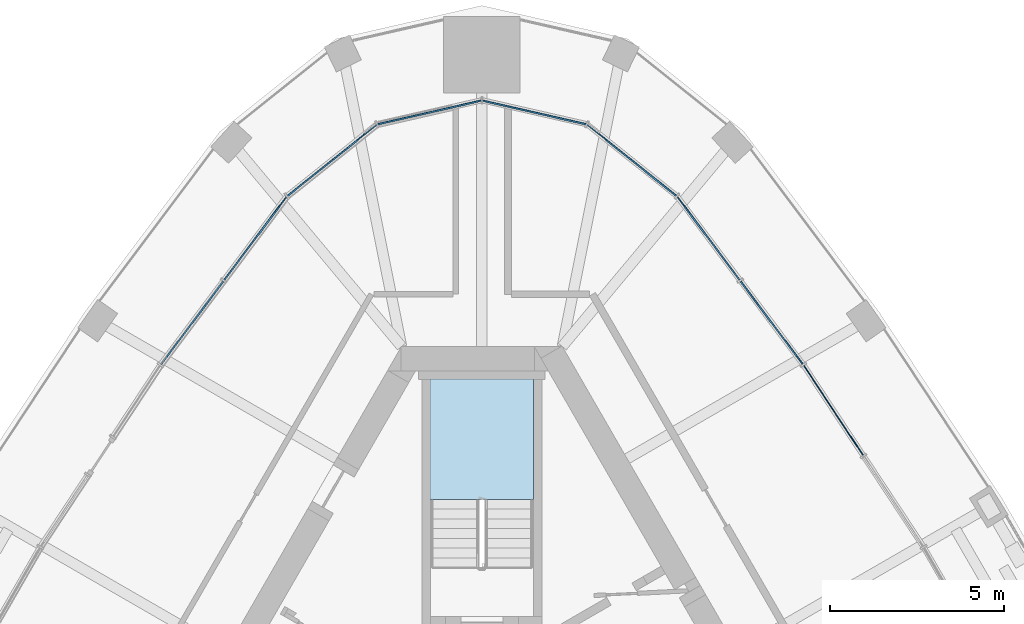
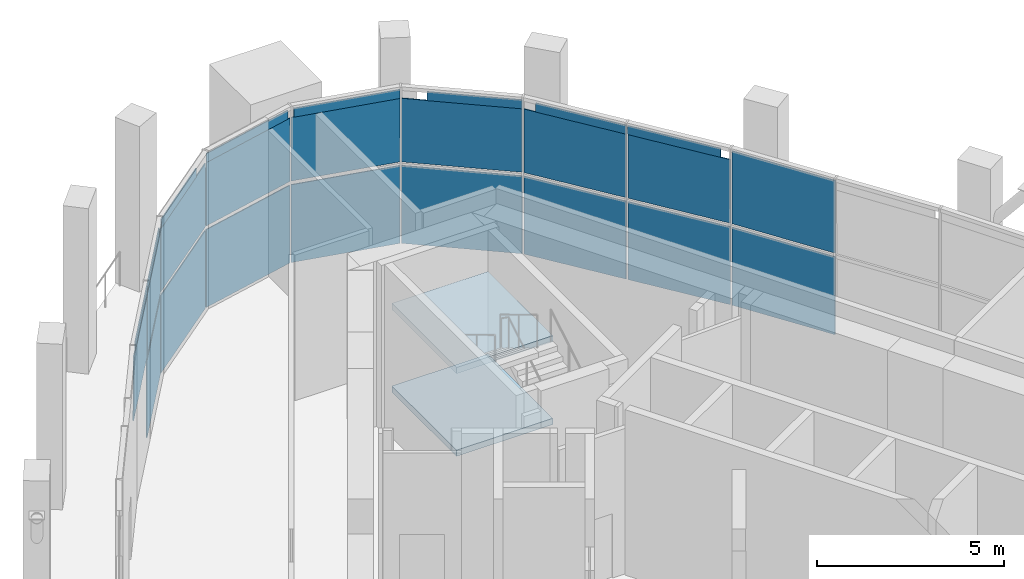
# One storey, part 9 of 23: 25 plates, 2 slabs, 4 elements without a shape of their own.
"""IFC4 building model written with IfcOpenShell, lengths in metres."""

from ifc_helpers import new_model, si_unit, direction, frame, origin, origin_2d, place, context, subcontext, project, spatial, polyline, rectangle, outline, extrude, material, layer, layer_set, type_object, element, aggregate, save


model = new_model("IFC4")

# Units and contexts
model_context = context("Model", 3, precision=1e-05, world=origin(), true_north=direction((0.0, 1.0)))
body_context = subcontext(model_context, "Body", "Model", "MODEL_VIEW")
ifc_project = project(units=[si_unit("LENGTHUNIT", "METRE"), si_unit("AREAUNIT", "SQUARE_METRE"), si_unit("VOLUMEUNIT", "CUBIC_METRE"), si_unit("PLANEANGLEUNIT", "RADIAN"), si_unit("MASSUNIT", "GRAM", prefix="KILO")], contexts=[model_context])

# Site, building, storey
site_placement = place(None, origin())
site = spatial("IfcSite", under=ifc_project, at=site_placement, CompositionType="ELEMENT")
building_placement = place(site_placement, origin())
building = spatial("IfcBuilding", under=site, at=building_placement, Name="Mestral Congress Tower", CompositionType="ELEMENT")
storey_placement = place(building_placement, frame((0.0, 0.0, 261.60009765625)))
storey = spatial("IfcBuildingStorey", under=building, at=storey_placement, Name="L61", CompositionType="ELEMENT", Elevation=261.60009765625)

# Stair, slabs
ifc_material_1 = material(Name="Concrete C60/75", Category="concrete")
stair_type = type_object("IfcStairType", Name="Exit stair 1400", PredefinedType="HALF_TURN_STAIR", material=ifc_material_1)
placement = place(storey_placement, origin())
stair = element("IfcStair", 1, at=placement, inside=storey, type_object=stair_type, Name="L61 ST2", PredefinedType="HALF_TURN_STAIR")
ifc_layer_1 = layer(ifc_material_1, 0.199951171875)
ifc_layer_set_1 = layer_set([ifc_layer_1], Name="Concrete C60/75")
slab_type = type_object("IfcSlabType", Name="Exit stair landing 200", PredefinedType="LANDING", material=ifc_layer_set_1)
slab_1_placement = place(storey_placement, frame((0.0, 0.0, 1.14990234375)))
slab_1 = element("IfcSlab", 2, at=slab_1_placement, type_object=slab_type, Name="ST2 landing 1", PredefinedType="LANDING", context=body_context, shape_type="SweptSolid", body=[
    extrude(outline(polyline([(1.485107421875, 12.300048828125), (-1.485107421875, 12.300048828125), (-1.485107421875, 15.760009765625), (1.485107421875, 15.760009765625), (1.485107421875, 12.300048828125)])), origin(), (0.0, 0.0, 1.0), 0.199951171875),
])
slab_2_placement = place(storey_placement, frame((0.0, 0.0, 3.849853515625)))
slab_2 = element("IfcSlab", 3, at=slab_2_placement, type_object=slab_type, Name="ST2 landing 3", PredefinedType="LANDING", context=body_context, shape_type="SweptSolid", body=[
    extrude(outline(polyline([(1.485107421875, 12.300048828125), (-1.485107421875, 12.300048828125), (-1.485107421875, 15.760009765625), (1.485107421875, 15.760009765625), (1.485107421875, 12.300048828125)])), origin(), (0.0, 0.0, 1.0), 0.199951171875),
])
aggregate(stair, [slab_1, slab_2])

# Curtain wall, plates
ifc_material_2 = material(Name="Clear low-emissivity double glazing", Category="glass")
curtain_wall_type = type_object("IfcCurtainWallType", Name="Facade control room curtain wall", PredefinedType="USERDEFINED", material=ifc_material_2)
curtain_wall_1 = element("IfcCurtainWall", 4, at=placement, inside=storey, type_object=curtain_wall_type, Name="Facade control room curtain wall face 2", ObjectType="CURTAIN WALL", PredefinedType="USERDEFINED")
ifc_layer_2 = layer(ifc_material_2, 0.028076171875)
ifc_layer_set_2 = layer_set([ifc_layer_2], Name="Clear low-emissivity double glazing")
plate_type = type_object("IfcPlateType", Name="Facade control room curtain wall panel", PredefinedType="CURTAIN_PANEL", material=ifc_layer_set_2)
plate_1_placement = place(storey_placement, frame((10.0947265625, 14.865234375, 0.0), z_axis=(0.0, 0.0, 1.0), x_axis=(-0.550750271998, 0.834670077272, 0.0)))
plate_1 = element("IfcPlate", 5, at=plate_1_placement, type_object=plate_type, Name="Control room glass unit", PredefinedType="CURTAIN_PANEL", context=body_context, shape_type="SweptSolid", body=[
    extrude(rectangle(XDim=3.083984375, YDim=0.028076171875, at=origin_2d()), origin(), (0.0, 0.0, 1.0), 2.5400390625),
])
plate_2_placement = place(storey_placement, frame((10.0947265625, 14.865234375, 2.659912109375), z_axis=(0.0, 0.0, 1.0), x_axis=(-0.550750271998, 0.834670077272, 0.0)))
plate_2 = element("IfcPlate", 6, at=plate_2_placement, type_object=plate_type, Name="Control room glass unit", PredefinedType="CURTAIN_PANEL", context=body_context, shape_type="SweptSolid", body=[
    extrude(rectangle(XDim=3.083984375, YDim=0.028076171875, at=origin_2d()), origin(), (0.0, 0.0, 1.0), 2.3701171875),
])
plate_3_placement = place(storey_placement, frame((8.32470703125, 17.384033203125, 0.0), z_axis=(0.0, 0.0, 1.0), x_axis=(-0.599540563334, 0.800344371453, 0.0)))
plate_3 = element("IfcPlate", 7, at=plate_3_placement, type_object=plate_type, Name="Control room glass unit", PredefinedType="CURTAIN_PANEL", context=body_context, shape_type="SweptSolid", body=[
    extrude(rectangle(XDim=2.97607421875, YDim=0.028076171875, at=origin_2d()), origin(), (0.0, 0.0, 1.0), 2.5400390625),
])
plate_4_placement = place(storey_placement, frame((7.443603515625, 18.583251953125, 2.659912109375), z_axis=(0.800333019599, 0.599552467583, 0.00197391851), x_axis=(0.599553635519, -0.800334578871, 6.4801e-08)))
plate_4 = element("IfcPlate", 8, at=plate_4_placement, type_object=plate_type, Name="Control room glass unit", PredefinedType="CURTAIN_PANEL", context=body_context, shape_type="SweptSolid", body=[
    extrude(outline(polyline([(0.0, 0.0), (2.9759770800376497, -4.336808689942018e-19), (2.9760282763381025, -2.0778847146174133), (-9.517909884362976e-05, -2.0778851003190955), (0.0, 0.0)])), origin(), (0.0, 0.0, -1.0), 0.028076171875),
])
plate_5_placement = place(storey_placement, frame((7.43505859375, 18.576904296875, 5.02978515625), z_axis=(0.80032965711, 0.599556561645, 0.002090296118), x_axis=(0.001572281346, 0.001387605748, -0.999997801238)))
plate_5 = element("IfcPlate", 9, at=plate_5_placement, type_object=plate_type, Name="Control room glass unit", PredefinedType="CURTAIN_PANEL", context=body_context, shape_type="SweptSolid", body=[
    extrude(outline(polyline([(0.0, 0.0), (0.29199226810747897, -6.776263578034403e-21), (0.29154036520861826, -2.6953127251620295), (-0.0004530093852962054, -2.6952153655175395), (0.0, 0.0)])), origin(), (0.0, 0.0, -1.0), 0.028076171875),
])
plate_6_placement = place(storey_placement, frame((6.510498046875, 19.805908203125, 0.0), z_axis=(0.0, 0.0, 1.0), x_axis=(-0.599540563334, 0.800344371453, 0.0)))
plate_6 = element("IfcPlate", 10, at=plate_6_placement, type_object=plate_type, Name="Control room glass unit", PredefinedType="CURTAIN_PANEL", context=body_context, shape_type="SweptSolid", body=[
    extrude(rectangle(XDim=2.97607421875, YDim=0.028076171875, at=origin_2d()), origin(), (0.0, 0.0, 1.0), 2.5400390625),
])
plate_7_placement = place(storey_placement, frame((5.62939453125, 21.005126953125, 2.659912109375), z_axis=(0.800333019599, 0.599552467583, 0.00197391851), x_axis=(0.599553635519, -0.800334578871, 6.4801e-08)))
plate_7 = element("IfcPlate", 11, at=plate_7_placement, type_object=plate_type, Name="Control room glass unit", PredefinedType="CURTAIN_PANEL", context=body_context, shape_type="SweptSolid", body=[
    extrude(outline(polyline([(0.0, 0.0), (2.9759770800376497, -4.336808689942018e-19), (2.9760282763381025, -2.0778847146174133), (-9.517909884362976e-05, -2.0778851003190955), (0.0, 0.0)])), origin(), (0.0, 0.0, -1.0), 0.028076171875),
])
plate_8_placement = place(storey_placement, frame((7.405517578125, 18.6171875, 4.73779296875), z_axis=(0.800333155927, 0.599552712628, 0.001839648014), x_axis=(-0.00167223788, -0.00083611894, 0.999998252261)))
plate_8 = element("IfcPlate", 12, at=plate_8_placement, type_object=plate_type, Name="Control room glass unit", PredefinedType="CURTAIN_PANEL", context=body_context, shape_type="SweptSolid", body=[
    extrude(outline(polyline([(0.0, 0.0), (0.2919926978269475, 1.3552527156068805e-20), (0.2928684181034798, -2.6264651062475437), (0.0008757202765322968, -2.6264651062475437), (0.0, 0.0)])), origin(), (0.0, 0.0, -1.0), 0.028076171875),
])
aggregate(curtain_wall_1, [plate_1, plate_2, plate_3, plate_4, plate_5, plate_6, plate_7, plate_8])

curtain_wall_2 = element("IfcCurtainWall", 13, at=placement, inside=storey, type_object=curtain_wall_type, Name="Facade control room curtain wall face 3", ObjectType="CURTAIN WALL", PredefinedType="USERDEFINED")
plate_9_placement = place(storey_placement, frame((-6.510498046875, 19.805908203125, 0.0), z_axis=(0.0, 0.0, 1.0), x_axis=(-0.599540563334, -0.800344371453, 0.0)))
plate_9 = element("IfcPlate", 14, at=plate_9_placement, type_object=plate_type, Name="Control room glass unit", PredefinedType="CURTAIN_PANEL", context=body_context, shape_type="SweptSolid", body=[
    extrude(rectangle(XDim=2.97607421875, YDim=0.028076171875, at=origin_2d()), origin(), (0.0, 0.0, 1.0), 2.5400390625),
])
plate_10_placement = place(storey_placement, frame((-7.41357421875, 18.623291015625, 2.659912109375), z_axis=(-0.800333019599, 0.599552467583, 0.00197391851), x_axis=(0.599553635519, 0.800334578871, -6.4801e-08)))
plate_10 = element("IfcPlate", 15, at=plate_10_placement, type_object=plate_type, Name="Control room glass unit", PredefinedType="CURTAIN_PANEL", context=body_context, shape_type="SweptSolid", body=[
    extrude(outline(polyline([(0.0, 0.0), (2.9759770800376497, 4.336808689942018e-19), (2.976072259136494, -2.0778851003190955), (-5.119630045288929e-05, -2.0778847146174133), (0.0, 0.0)])), origin(), (0.0, 0.0, -1.0), 0.028076171875),
])
plate_11_placement = place(storey_placement, frame((-7.405029296875, 18.616943359375, 5.02978515625), z_axis=(-0.800333155927, 0.599552712628, 0.001839648014), x_axis=(-0.00167223788, 0.00083611894, -0.999998252261)))
plate_11 = element("IfcPlate", 16, at=plate_11_placement, type_object=plate_type, Name="Control room glass unit", PredefinedType="CURTAIN_PANEL", context=body_context, shape_type="SweptSolid", body=[
    extrude(outline(polyline([(0.0, 0.0), (0.2919926978269475, -1.3552527156068805e-20), (0.2911169775504152, -2.6264651062475437), (-0.0008757202765322968, -2.6264651062475437), (0.0, 0.0)])), origin(), (0.0, 0.0, -1.0), 0.028076171875),
])
plate_12_placement = place(storey_placement, frame((-9.227783203125, 16.201416015625, 2.659912109375), z_axis=(-0.800333019599, 0.599552467583, 0.00197391851), x_axis=(0.599553635519, 0.800334578871, -6.4801e-08)))
plate_12 = element("IfcPlate", 17, at=plate_12_placement, type_object=plate_type, Name="Control room glass unit", PredefinedType="CURTAIN_PANEL", context=body_context, shape_type="SweptSolid", body=[
    extrude(outline(polyline([(0.0, 0.0), (2.9759770800376497, 4.336808689942018e-19), (2.976072259136494, -2.0778851003190955), (-5.119630045288929e-05, -2.0778847146174133), (0.0, 0.0)])), origin(), (0.0, 0.0, -1.0), 0.028076171875),
])
plate_13_placement = place(storey_placement, frame((-7.435302734375, 18.5771484375, 4.73779296875), z_axis=(-0.80032965711, 0.599556561645, 0.002090296118), x_axis=(0.001572281346, -0.001387605748, 0.999997801238)))
plate_13 = element("IfcPlate", 18, at=plate_13_placement, type_object=plate_type, Name="Control room glass unit", PredefinedType="CURTAIN_PANEL", context=body_context, shape_type="SweptSolid", body=[
    extrude(outline(polyline([(0.0, 0.0), (0.29199226810747897, 6.776263578034403e-21), (0.29244527749277516, -2.6952153655175395), (0.00045190289886074247, -2.695312725162029), (0.0, 0.0)])), origin(), (0.0, 0.0, -1.0), 0.028076171875),
])
aggregate(curtain_wall_2, [plate_9, plate_10, plate_11, plate_12, plate_13])

curtain_wall_3 = element("IfcCurtainWall", 19, at=placement, inside=storey, type_object=curtain_wall_type, Name="Facade control room curtain wall corner 2", ObjectType="CURTAIN WALL", PredefinedType="USERDEFINED")
plate_14_placement = place(storey_placement, frame((4.30859375, 22.050048828125, 0.0), z_axis=(0.0, 0.0, 1.0), x_axis=(-0.781626082124, 0.623747278747, 0.0)))
plate_14 = element("IfcPlate", 20, at=plate_14_placement, type_object=plate_type, Name="Control room glass unit", PredefinedType="CURTAIN_PANEL", context=body_context, shape_type="SweptSolid", body=[
    extrude(rectangle(XDim=3.2626953125, YDim=0.028076171875, at=origin_2d()), origin(), (0.0, 0.0, 1.0), 2.5400390625),
])
plate_15_placement = place(storey_placement, frame((3.042236328125, 23.078369140625, 2.659912109375), z_axis=(0.623780813576, 0.781596760773, 0.002000040752), x_axis=(0.781598324035, -0.623782061193, 0.0)))
plate_15 = element("IfcPlate", 21, at=plate_15_placement, type_object=plate_type, Name="Control room glass unit", PredefinedType="CURTAIN_PANEL", context=body_context, shape_type="SweptSolid", body=[
    extrude(outline(polyline([(0.0, 0.0), (3.262607850743903, 0.0), (3.2624886088569687, -2.0778850153185444), (-0.00011924188693418058, -2.0778850153185444), (0.0, 0.0)])), origin(), (0.0, 0.0, -1.0), 0.028076171875),
])
plate_16_placement = place(storey_placement, frame((5.584716796875, 21.03369140625, 4.73779296875), z_axis=(0.623755269447, 0.781616912841, 0.002089353453), x_axis=(-0.000998773638, -0.001876057683, 0.999997741427)))
plate_16 = element("IfcPlate", 22, at=plate_16_placement, type_object=plate_type, Name="Control room glass unit", PredefinedType="CURTAIN_PANEL", context=body_context, shape_type="SweptSolid", body=[
    extrude(outline(polyline([(0.0, 0.0), (0.29199268789929445, -1.3552527156068805e-20), (0.2909912429940554, -2.5712258252786144), (-0.0010016887464592357, -2.5710350003110243), (0.0, 0.0)])), origin(), (0.0, 0.0, -1.0), 0.028076171875),
])
plate_17_placement = place(storey_placement, frame((1.507080078125, 23.42724609375, 0.0), z_axis=(0.0, 0.0, 1.0), x_axis=(-0.974903605359, 0.222627402308, 0.0)))
plate_17 = element("IfcPlate", 23, at=plate_17_placement, type_object=plate_type, Name="Control room glass unit", PredefinedType="CURTAIN_PANEL", context=body_context, shape_type="SweptSolid", body=[
    extrude(rectangle(XDim=3.04150390625, YDim=0.028076171875, at=origin_2d()), origin(), (0.0, 0.0, 1.0), 2.5400390625),
])
plate_18_placement = place(storey_placement, frame((0.027587890625, 23.779296875, 2.659912109375), z_axis=(0.22263363856, 0.974900140727, 0.001994640686), x_axis=(0.974902080132, -0.222634081293, -7.8048e-08)))
plate_18 = element("IfcPlate", 24, at=plate_18_placement, type_object=plate_type, Name="Control room glass unit", PredefinedType="CURTAIN_PANEL", context=body_context, shape_type="SweptSolid", body=[
    extrude(outline(polyline([(0.0, 0.0), (3.0413940602137637, -2.168404344971009e-19), (3.041365863630349, -2.077885230280076), (-8.2550607168336e-05, -2.077884755525015), (0.0, 0.0)])), origin(), (0.0, 0.0, -1.0), 0.028076171875),
])
plate_19_placement = place(storey_placement, frame((2.989990234375, 23.09033203125, 4.73779296875), z_axis=(0.222614762934, 0.974904799447, 0.001816408329), x_axis=(-0.00083611894, -0.00167223788, 0.999998252261)))
plate_19 = element("IfcPlate", 25, at=plate_19_placement, type_object=plate_type, Name="Control room glass unit", PredefinedType="CURTAIN_PANEL", context=body_context, shape_type="SweptSolid", body=[
    extrude(outline(polyline([(0.0, 0.0), (0.2919926978269475, 0.0), (0.2933089319395536, -2.9720398085424575), (0.001316234112606119, -2.9720398085424575), (0.0, 0.0)])), origin(), (0.0, 0.0, -1.0), 0.028076171875),
])
plate_20_placement = place(storey_placement, frame((-1.507080078125, 23.42724609375, 0.0), z_axis=(0.0, 0.0, 1.0), x_axis=(-0.974903605359, -0.222627402308, 0.0)))
plate_20 = element("IfcPlate", 26, at=plate_20_placement, type_object=plate_type, Name="Control room glass unit", PredefinedType="CURTAIN_PANEL", context=body_context, shape_type="SweptSolid", body=[
    extrude(rectangle(XDim=3.04150390625, YDim=0.028076171875, at=origin_2d()), origin(), (0.0, 0.0, 1.0), 2.5400390625),
])
plate_21_placement = place(storey_placement, frame((-2.99267578125, 23.102294921875, 2.659912109375), z_axis=(-0.22263363856, 0.974900140727, 0.001994640686), x_axis=(0.974902080132, 0.222634081293, 7.8048e-08)))
plate_21 = element("IfcPlate", 27, at=plate_21_placement, type_object=plate_type, Name="Control room glass unit", PredefinedType="CURTAIN_PANEL", context=body_context, shape_type="SweptSolid", body=[
    extrude(outline(polyline([(0.0, 0.0), (3.0413940602137637, 2.168404344971009e-19), (3.041476610820932, -2.077884755525015), (2.8196583415070085e-05, -2.077885230280076), (0.0, 0.0)])), origin(), (0.0, 0.0, -1.0), 0.028076171875),
])
plate_22_placement = place(storey_placement, frame((-2.98974609375, 23.08984375, 5.02978515625), z_axis=(-0.222614762934, 0.974904799447, 0.001816408329), x_axis=(-0.00083611894, 0.00167223788, -0.999998252261)))
plate_22 = element("IfcPlate", 28, at=plate_22_placement, type_object=plate_type, Name="Control room glass unit", PredefinedType="CURTAIN_PANEL", context=body_context, shape_type="SweptSolid", body=[
    extrude(outline(polyline([(0.0, 0.0), (0.2919926978269475, 0.0), (0.29067646371434136, -2.9720398085424575), (-0.001316234112606119, -2.9720398085424575), (0.0, 0.0)])), origin(), (0.0, 0.0, -1.0), 0.028076171875),
])
plate_23_placement = place(storey_placement, frame((-4.30859375, 22.050048828125, 0.0), z_axis=(0.0, 0.0, 1.0), x_axis=(-0.781626082124, -0.623747278747, 0.0)))
plate_23 = element("IfcPlate", 29, at=plate_23_placement, type_object=plate_type, Name="Control room glass unit", PredefinedType="CURTAIN_PANEL", context=body_context, shape_type="SweptSolid", body=[
    extrude(rectangle(XDim=3.2626953125, YDim=0.028076171875, at=origin_2d()), origin(), (0.0, 0.0, 1.0), 2.5400390625),
])
plate_24_placement = place(storey_placement, frame((-5.59228515625, 21.043212890625, 2.659912109375), z_axis=(-0.623780813576, 0.781596760773, 0.002000040752), x_axis=(0.781598324035, 0.623782061193, 0.0)))
plate_24 = element("IfcPlate", 30, at=plate_24_placement, type_object=plate_type, Name="Control room glass unit", PredefinedType="CURTAIN_PANEL", context=body_context, shape_type="SweptSolid", body=[
    extrude(outline(polyline([(0.0, 0.0), (3.262607850743903, 0.0), (3.262727092630837, -2.0778850153185444), (0.00011924188693418058, -2.0778850153185444), (0.0, 0.0)])), origin(), (0.0, 0.0, -1.0), 0.028076171875),
])
plate_25_placement = place(storey_placement, frame((-5.58447265625, 21.033203125, 5.02978515625), z_axis=(-0.623755269447, 0.781616912841, 0.002089353453), x_axis=(-0.000998773638, 0.001876057683, -0.999997741427)))
plate_25 = element("IfcPlate", 31, at=plate_25_placement, type_object=plate_type, Name="Control room glass unit", PredefinedType="CURTAIN_PANEL", context=body_context, shape_type="SweptSolid", body=[
    extrude(outline(polyline([(0.0, 0.0), (0.29199268789929445, 1.3552527156068805e-20), (0.2929943766457537, -2.5710350003110243), (0.0010014449052390389, -2.5712258252786144), (0.0, 0.0)])), origin(), (0.0, 0.0, -1.0), 0.028076171875),
])
aggregate(curtain_wall_3, [plate_14, plate_15, plate_16, plate_17, plate_18, plate_19, plate_20, plate_21, plate_22, plate_23, plate_24, plate_25])

save(model, "model.ifc")
